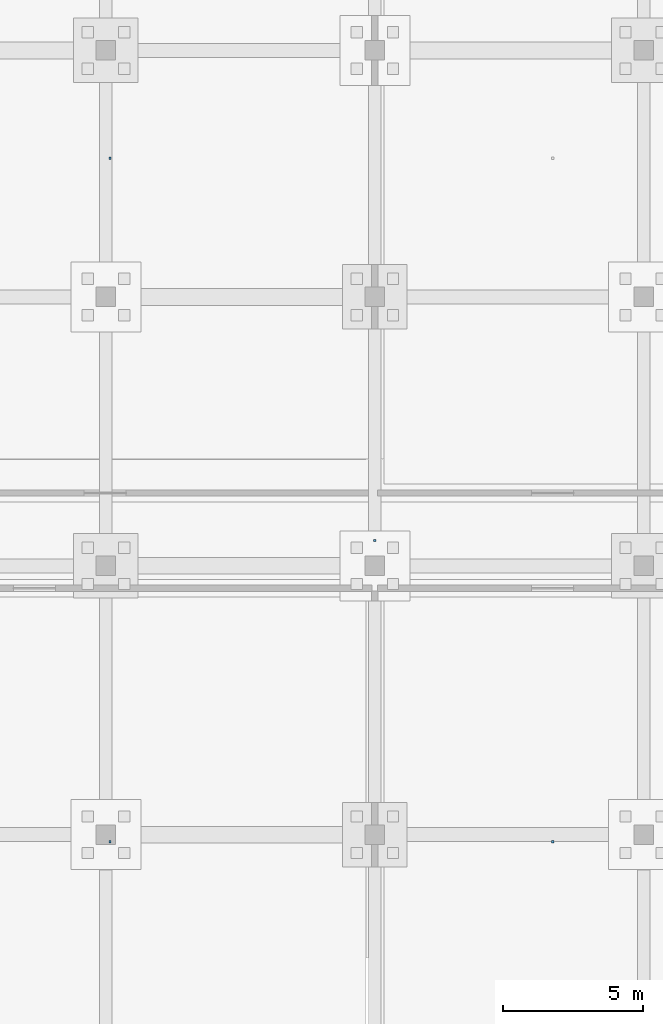
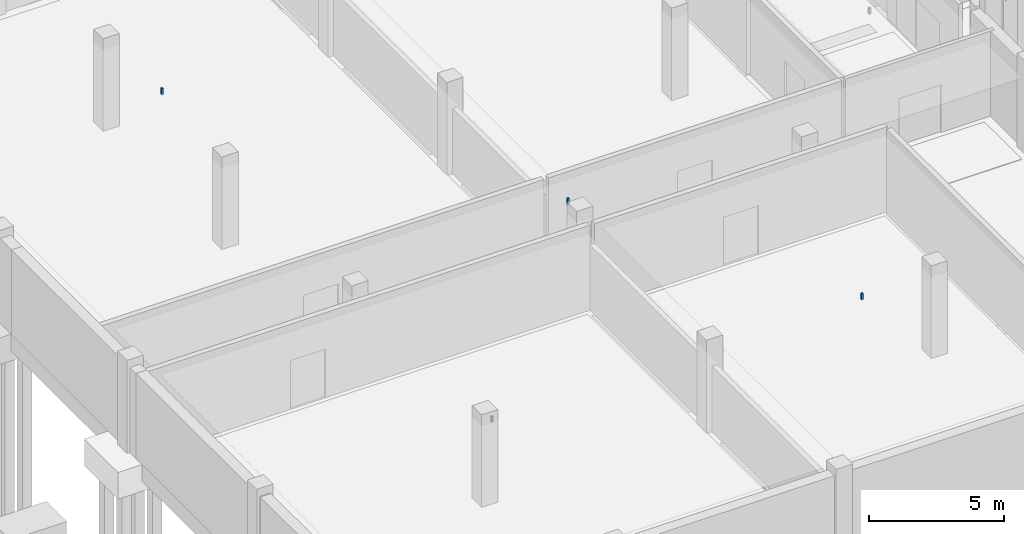
# One storey, part 24 of 31: 4 discrete accessories.
"""IFC4 building model written with IfcOpenShell, lengths in metres."""

import ifcopenshell
import ifcopenshell.guid

model = None  # the IFC model being written
_history = None  # IfcOwnerHistory: only IFC2X3 demands one
_inside = {}  # id of a spatial element -> (the spatial element, [elements in it])
_under = {}  # id of a project, library or spatial element -> (it, [spatial elements below it])
_declared = {}  # id of a project -> (the project, [libraries it declares])
_typed = {}  # id of a type object -> (the type object, [elements of that type])
_made_of = {}  # id of a material, layer set ... -> (it, [elements and type objects made of it])


def new_model(schema):
    """Start an empty IFC model of exactly this schema.

    Asked for "IFC4X3", IfcOpenShell would pick the latest addendum, in which some entities
    have other attributes; the version numbers below select the first issue.
    IFC2X3 requires an IfcOwnerHistory on every rooted entity: one is made here for all.
    """
    global model, _history
    if schema == "IFC4X3":
        model = ifcopenshell.file(schema_version=(4, 3, 0, 0))
    else:
        model = ifcopenshell.file(schema=schema)
    _inside.clear()
    _under.clear()
    _declared.clear()
    _typed.clear()
    _made_of.clear()
    _history = None
    if model.schema == "IFC2X3":
        org = make("IfcOrganization", Name="unknown")
        user = make(
            "IfcPersonAndOrganization",
            ThePerson=make("IfcPerson", FamilyName="unknown"),
            TheOrganization=org,
        )
        app = make(
            "IfcApplication",
            ApplicationDeveloper=org,
            Version="unknown",
            ApplicationFullName="unknown",
            ApplicationIdentifier="unknown",
        )
        _history = make(
            "IfcOwnerHistory",
            OwningUser=user,
            OwningApplication=app,
            ChangeAction="ADDED",
            CreationDate=0,
        )
    return model


def make(cls, **values):
    """One entity of the class cls with the attributes given. An attribute that is None is left unset."""
    return model.create_entity(
        cls, **{name: value for name, value in values.items() if value is not None}
    )


def rooted(cls, **values):
    """An entity with a GlobalId (a new one), such as an element, a storey or a relation."""
    return make(cls, GlobalId=ifcopenshell.guid.new(), OwnerHistory=_history, **values)


def si_unit(unit_type, name, prefix=None):
    """IfcSIUnit, for example si_unit("LENGTHUNIT", "METRE", prefix="MILLI")."""
    return make("IfcSIUnit", UnitType=unit_type, Prefix=prefix, Name=name)


def assignment(units):
    """IfcUnitAssignment: the units of a project."""
    return None if units is None else make("IfcUnitAssignment", Units=units)


def point(xyz):
    """IfcCartesianPoint."""
    return None if xyz is None else make("IfcCartesianPoint", Coordinates=xyz)


def direction(xyz):
    """IfcDirection."""
    return None if xyz is None else make("IfcDirection", DirectionRatios=xyz)


def frame(location, z_axis=None, x_axis=None):
    """IfcAxis2Placement3D, a coordinate frame: its origin and axes. An axis left out is left unset."""
    return make(
        "IfcAxis2Placement3D",
        Location=point(location),
        Axis=direction(z_axis),
        RefDirection=direction(x_axis),
    )


def frame_2d(location, x_axis=None):
    """IfcAxis2Placement2D, a coordinate frame in the plane: its origin and x axis."""
    return make(
        "IfcAxis2Placement2D", Location=point(location), RefDirection=direction(x_axis)
    )


def origin():
    """The frame at (0, 0, 0) with its axes left unset."""
    return frame((0.0, 0.0, 0.0))


def origin_2d():
    """The frame at (0, 0) in the plane with its x axis left unset."""
    return frame_2d((0.0, 0.0))


def place(relative_to, where):
    """IfcLocalPlacement: puts the frame where relative to a parent placement (None: the world)."""
    return make(
        "IfcLocalPlacement", PlacementRelTo=relative_to, RelativePlacement=where
    )


def context(
    kind, dimensions, precision=None, world=None, true_north=None, identifier=None
):
    """IfcGeometricRepresentationContext, for example the 3D "Model" context."""
    return make(
        "IfcGeometricRepresentationContext",
        ContextIdentifier=identifier,
        ContextType=kind,
        CoordinateSpaceDimension=dimensions,
        Precision=precision,
        WorldCoordinateSystem=world,
        TrueNorth=true_north,
    )


def subcontext(parent, identifier, kind, view, scale=None):
    """IfcGeometricRepresentationSubContext, for example "Body" below "Model"."""
    return make(
        "IfcGeometricRepresentationSubContext",
        ContextIdentifier=identifier,
        ContextType=kind,
        ParentContext=parent,
        TargetScale=scale,
        TargetView=view,
    )


def project(units=None, contexts=None):
    """IfcProject with its units and contexts."""
    return rooted(
        "IfcProject",
        Name="project",
        RepresentationContexts=contexts,
        UnitsInContext=assignment(units),
    )


def spatial(cls, under=None, at=None, **own):
    """A site, building, storey or space (cls), placed at a placement, below another one or the project."""
    s = rooted(cls, ObjectPlacement=at, **own)
    if under is not None:
        _under.setdefault(under.id(), (under, []))[1].append(s)
    return s


def profile(cls, at=None, kind="AREA", **sizes):
    """A parametric profile (cls). Its sizes go by their IFC names, for example OverallWidth=200.0."""
    return make(cls, ProfileType=kind, Position=at, **sizes)


def rectangle(**sizes):
    """IfcRectangleProfileDef."""
    return profile("IfcRectangleProfileDef", **sizes)


def extrude(swept, where, along, depth):
    """IfcExtrudedAreaSolid: the profile swept, set in the frame where, extruded along a direction by depth."""
    return make(
        "IfcExtrudedAreaSolid",
        SweptArea=swept,
        Position=where,
        ExtrudedDirection=direction(along),
        Depth=depth,
    )


def shape(context_of_items, identifier, shape_type, items):
    """IfcShapeRepresentation: the items that make up one representation, for example the "Body"."""
    return make(
        "IfcShapeRepresentation",
        ContextOfItems=context_of_items,
        RepresentationIdentifier=identifier,
        RepresentationType=shape_type,
        Items=items,
    )


def material(Name=None, Category=None):
    """IfcMaterial."""
    return make("IfcMaterial", Name=Name, Category=Category)


def made_of(thing, what):
    """Note that an element or type object is made of a material, layer set ...; save() writes the relation."""
    if what is not None:
        _made_of.setdefault(what.id(), (what, []))[1].append(thing)
    return thing


def type_object(cls, material=None, **own):
    """A type object (cls), such as IfcWallType, which elements share."""
    return made_of(rooted(cls, **own), material)


def element(
    cls,
    number,
    at=None,
    inside=None,
    cuts=None,
    type_object=None,
    material=None,
    context=None,
    identifier="Body",
    shape_type=None,
    held_by="IfcProductDefinitionShape",
    body=None,
    shapes=None,
    **own,
):
    """One element of the class cls, such as IfcWall. Its Tag is "e" and its number.

    at: its placement. inside: the storey or other place that contains it. cuts: it is an
    opening in that element (IfcRelVoidsElement). A single representation is given by context,
    identifier, shape_type and body (its items); several are given by shapes. held_by: the class
    of the entity that holds the representations. save() writes the other relations.
    """
    e = rooted(cls, Tag="e%d" % number, ObjectPlacement=at, **own)
    if body is not None:
        shapes = [shape(context, identifier, shape_type, body)]
    if shapes is not None:
        e.Representation = make(held_by, Representations=shapes)
    if inside is not None:
        _inside.setdefault(inside.id(), (inside, []))[1].append(e)
    if cuts is not None:
        rooted(
            "IfcRelVoidsElement", RelatingBuildingElement=cuts, RelatedOpeningElement=e
        )
    if type_object is not None:
        _typed.setdefault(type_object.id(), (type_object, []))[1].append(e)
    return made_of(e, material)


def aggregate(whole, parts):
    """IfcRelAggregates: a whole, such as a stair, and the parts it consists of."""
    return rooted("IfcRelAggregates", RelatingObject=whole, RelatedObjects=parts)


def save(model, path):
    """Write the relations noted so far, then the file.

    IfcRelAggregates (storeys below a building ...), IfcRelContainedInSpatialStructure (elements
    in a storey), IfcRelDefinesByType, IfcRelAssociatesMaterial and IfcRelDeclares: one each for
    every whole, place, type object, material and project.
    """
    for whole, parts in _under.values():
        aggregate(whole, parts)
    for where, things in _inside.values():
        rooted(
            "IfcRelContainedInSpatialStructure",
            RelatedElements=things,
            RelatingStructure=where,
        )
    for kind, things in _typed.values():
        rooted("IfcRelDefinesByType", RelatedObjects=things, RelatingType=kind)
    for what, things in _made_of.values():
        rooted("IfcRelAssociatesMaterial", RelatedObjects=things, RelatingMaterial=what)
    for by, libraries in _declared.values():
        rooted("IfcRelDeclares", RelatingContext=by, RelatedDefinitions=libraries)
    model.write(path)


model = new_model("IFC4")

# Units and contexts
model_context = context("Model", 3, precision=1e-05, world=origin(), true_north=direction((0.0, 1.0)))
body_context = subcontext(model_context, "Body", "Model", "MODEL_VIEW")
ifc_project = project(units=[si_unit("LENGTHUNIT", "METRE"), si_unit("AREAUNIT", "SQUARE_METRE"), si_unit("VOLUMEUNIT", "CUBIC_METRE"), si_unit("PLANEANGLEUNIT", "RADIAN"), si_unit("MASSUNIT", "GRAM", prefix="KILO")], contexts=[model_context])

# Site, building, storey
site_placement = place(None, origin())
site = spatial("IfcSite", under=ifc_project, at=site_placement, CompositionType="ELEMENT")
building_placement = place(site_placement, origin())
building = spatial("IfcBuilding", under=site, at=building_placement, Name="Chalmorin Arch Market", CompositionType="ELEMENT")
storey_placement = place(building_placement, frame((0.0, 0.0, -4.199951171875)))
storey = spatial("IfcBuildingStorey", under=building, at=storey_placement, Name="B1", CompositionType="ELEMENT", Elevation=-4.199951171875)

# Discrete accessories
ifc_material = material(Name="Galvanized Cold-Formed Steel", Category="steel")
discrete_accessory_type = type_object("IfcDiscreteAccessoryType", Name="CeilingSuspensionBracket-80x80", PredefinedType="BRACKET", material=ifc_material)
for number, where, z_axis, x_axis, name in (
    (1, (9.75, 81.35009765625, 3.65283203125), (0.0, 0.0, 1.0), (1.0, 0.0, 0.0), "CSB-002"),
    (2, (25.550048828125, 81.35009765625, 3.65283203125), (0.0, 0.0, 1.0), (1.0, 0.0, 0.0), "CSB-004"),
    (3, (9.75, 105.75, 3.65283203125), (0.0, 0.0, 1.0), (1.0, 0.0, 0.0), "CSB-006"),
    (4, (19.199951171875, 92.10009765625, 3.65283203125), (0.0, 0.0, 1.0), (1.0, 0.0, 0.0), "CSB-010"),
):
    element("IfcDiscreteAccessory", number, at=place(storey_placement, frame(where, z_axis=z_axis, x_axis=x_axis)), inside=storey, type_object=discrete_accessory_type, Name=name, PredefinedType="BRACKET", context=body_context, shape_type="SweptSolid", body=[
        extrude(rectangle(XDim=0.080078125, YDim=0.080078125, at=origin_2d()), origin(), (0.0, 0.0, 1.0), 0.277099609375),
    ])

save(model, "model.ifc")
